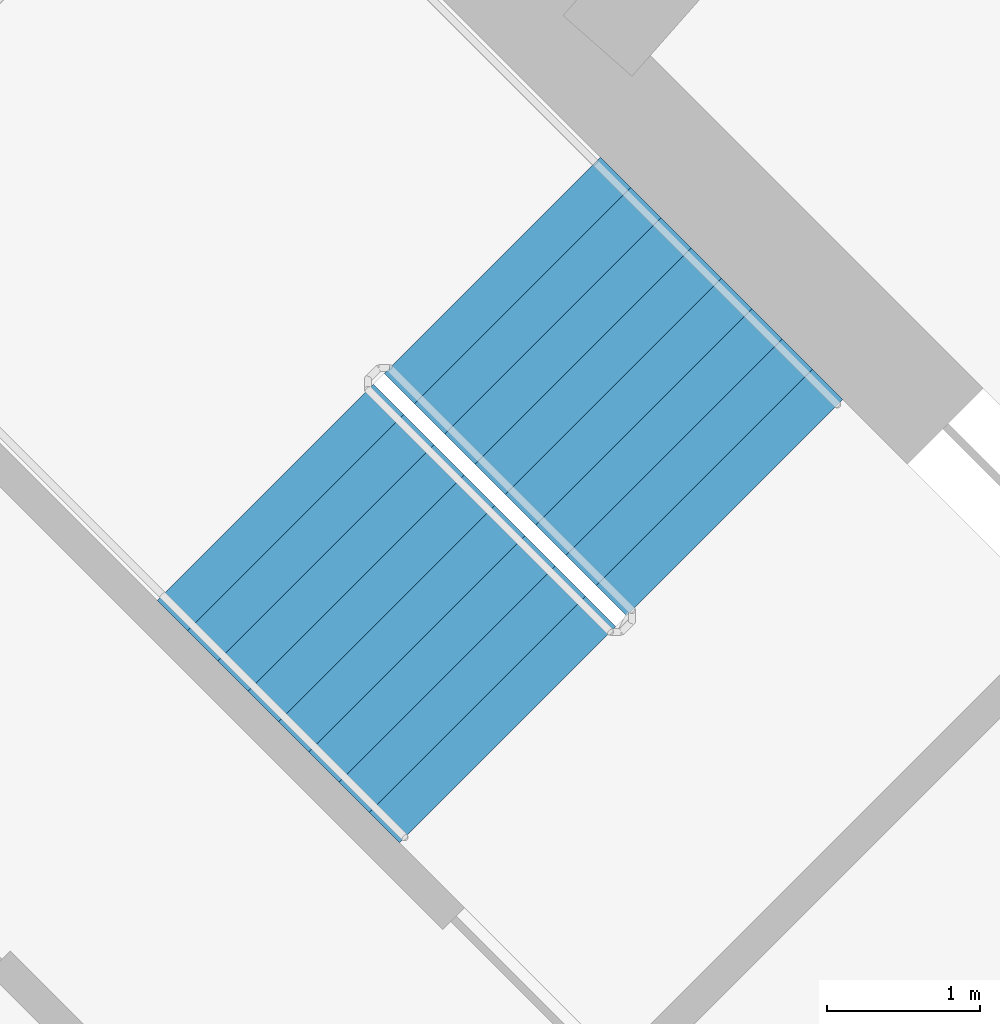
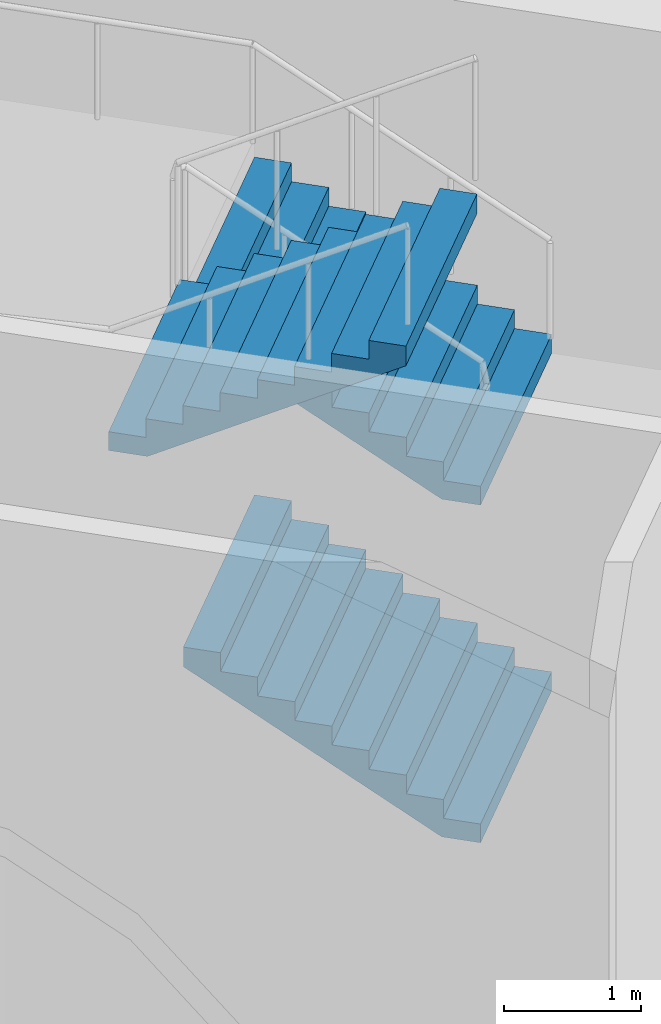
# One storey, part 14 of 16: 3 stair flights, 1 element without a shape of its own.
"""IFC4 building model written with IfcOpenShell, lengths in metres."""

from ifc_helpers import new_model, si_unit, direction, frame, origin, place, context, subcontext, project, spatial, triangles, material, type_object, element, aggregate, save


model = new_model("IFC4")

# Units and contexts
model_context = context("Model", 3, precision=1e-05, world=origin(), true_north=direction((0.0, 1.0)))
body_context = subcontext(model_context, "Body", "Model", "MODEL_VIEW")
ifc_project = project(units=[si_unit("LENGTHUNIT", "METRE"), si_unit("AREAUNIT", "SQUARE_METRE"), si_unit("VOLUMEUNIT", "CUBIC_METRE"), si_unit("PLANEANGLEUNIT", "RADIAN"), si_unit("MASSUNIT", "GRAM", prefix="KILO")], contexts=[model_context])

# Site, building, storey
site_placement = place(None, origin())
site = spatial("IfcSite", under=ifc_project, at=site_placement, CompositionType="ELEMENT")
building_placement = place(site_placement, origin())
building = spatial("IfcBuilding", under=site, at=building_placement, Name="Verdalira Terraces Hotel", CompositionType="ELEMENT")
storey_placement = place(building_placement, frame((0.0, 0.0, 169.0)))
storey = spatial("IfcBuildingStorey", under=building, at=storey_placement, Name="L41", CompositionType="ELEMENT", Elevation=169.0)

# Stair, stair flights
ifc_material_1 = material(Name="Concrete C40", Category="concrete")
stair_type = type_object("IfcStairType", Name="Core stair 36 risers 2000 mm wide", PredefinedType="HALF_TURN_STAIR", material=ifc_material_1)
stair_placement = place(storey_placement, origin())
stair = element("IfcStair", 1, at=stair_placement, inside=storey, type_object=stair_type, Name="L41 Exit stair ST1", PredefinedType="HALF_TURN_STAIR")
ifc_material_2 = material(Name="Concrete C40", Category="concrete")
stair_flight_type = type_object("IfcStairFlightType", Name="Core stair flight 36 risers 2000 mm wide", PredefinedType="STRAIGHT", material=ifc_material_2)
stair_flight_1_placement = place(storey_placement, frame((10.041016, 7.354004, 0.0), z_axis=(0.0, 0.0, 1.0), x_axis=(-0.707106781, 0.707106781, 0.0)))
stair_flight_1 = element("IfcStairFlight", 2, at=stair_flight_1_placement, type_object=stair_flight_type, Name="ST1 flight 1", NumberOfRisers=9, NumberOfTreads=8, PredefinedType="STRAIGHT", RiserHeight=0.166666667, TreadLength=0.28, context=body_context, shape_type="Tessellation", body=[
    triangles([(0.0, 1.0, 0.0), (0.292969, 1.0, 0.0), (2.23999, 1.0, 1.158936), (0.0, -1.0, 0.0), (0.292969, -1.0, 0.0), (2.23999, -1.0, 1.158936), (2.23999, 1.0, 1.333252), (1.959961, 1.0, 1.333252), (2.23999, -1.0, 1.333252), (1.959961, -1.0, 1.333252), (1.959961, 1.0, 1.166748), (1.959961, -1.0, 1.166748), (1.679932, 1.0, 1.166748), (1.679932, -1.0, 1.166748), (1.679932, 1.0, 1.0), (1.679932, -1.0, 1.0), (1.399902, 1.0, 1.0), (1.399902, 1.0, 0.833252), (1.399902, -1.0, 1.0), (1.399902, -1.0, 0.833252), (1.120117, 1.0, 0.833252), (1.120117, 1.0, 0.666748), (1.120117, -1.0, 0.833252), (1.120117, -1.0, 0.666748), (0.840088, 1.0, 0.666748), (0.840088, 1.0, 0.5), (0.840088, -1.0, 0.666748), (0.840088, -1.0, 0.5), (0.560059, 1.0, 0.5), (0.560059, 1.0, 0.333252), (0.560059, -1.0, 0.5), (0.560059, -1.0, 0.333252), (0.280029, 1.0, 0.333252), (0.280029, 1.0, 0.166748), (0.280029, -1.0, 0.333252), (0.280029, -1.0, 0.166748), (0.0, 1.0, 0.166748), (0.0, -1.0, 0.166748), (0.0, -0.9375, 0.0), (0.0, -0.9375, 0.166748), (0.0, -0.875, 0.0), (0.0, -0.875, 0.166748), (0.0, -0.8125, 0.0), (0.0, -0.8125, 0.166748), (0.0, -0.75, 0.0), (0.0, -0.75, 0.166748), (0.0, -0.6875, 0.0), (0.0, -0.6875, 0.166748), (0.0, -0.625, 0.0), (0.0, -0.625, 0.166748), (0.0, -0.5625, 0.0), (0.0, -0.5625, 0.166748), (0.0, -0.5, 0.0), (0.0, -0.5, 0.166748), (0.0, -0.4375, 0.0), (0.0, -0.4375, 0.166748), (0.0, -0.375, 0.0), (0.0, -0.375, 0.166748), (0.0, -0.3125, 0.0), (0.0, -0.3125, 0.166748), (0.0, -0.25, 0.0), (0.0, -0.25, 0.166748), (0.0, -0.1875, 0.0), (0.0, -0.1875, 0.166748), (0.0, -0.125, 0.0), (0.0, -0.125, 0.166748), (0.0, -0.0625, 0.0), (0.0, -0.0625, 0.166748), (0.0, 0.0, 0.0), (0.0, 0.0, 0.166748), (0.0, 0.0625, 0.0), (0.0, 0.0625, 0.166748), (0.0, 0.125, 0.0), (0.0, 0.125, 0.166748), (0.0, 0.1875, 0.0), (0.0, 0.1875, 0.166748), (0.0, 0.25, 0.0), (0.0, 0.25, 0.166748), (0.0, 0.3125, 0.0), (0.0, 0.3125, 0.166748), (0.0, 0.375, 0.0), (0.0, 0.375, 0.166748), (0.0, 0.4375, 0.0), (0.0, 0.4375, 0.166748), (0.0, 0.5, 0.0), (0.0, 0.5, 0.166748), (0.0, 0.5625, 0.0), (0.0, 0.5625, 0.166748), (0.0, 0.625, 0.0), (0.0, 0.625, 0.166748), (0.0, 0.6875, 0.0), (0.0, 0.6875, 0.166748), (0.0, 0.75, 0.0), (0.0, 0.75, 0.166748), (0.0, 0.8125, 0.0), (0.0, 0.8125, 0.166748), (0.0, 0.875, 0.0), (0.0, 0.875, 0.166748), (0.0, 0.9375, 0.0), (0.0, 0.9375, 0.166748), (2.23999, -0.9375, 1.333252), (2.23999, -0.875, 1.333252), (2.23999, -0.8125, 1.333252), (2.23999, -0.75, 1.333252), (2.23999, -0.6875, 1.333252), (2.23999, -0.625, 1.333252), (2.23999, -0.5625, 1.333252), (2.23999, -0.5, 1.333252), (2.23999, -0.4375, 1.333252), (2.23999, -0.375, 1.333252), (2.23999, -0.3125, 1.333252), (2.23999, -0.25, 1.333252), (2.23999, -0.1875, 1.333252), (2.23999, -0.125, 1.333252), (2.23999, -0.0625, 1.333252), (2.23999, 0.0, 1.333252), (2.23999, 0.0625, 1.333252), (2.23999, 0.125, 1.333252), (2.23999, 0.1875, 1.333252), (2.23999, 0.25, 1.333252), (2.23999, 0.3125, 1.333252), (2.23999, 0.375, 1.333252), (2.23999, 0.4375, 1.333252), (2.23999, 0.5, 1.333252), (2.23999, 0.5625, 1.333252), (2.23999, 0.625, 1.333252), (2.23999, 0.6875, 1.333252), (2.23999, 0.75, 1.333252), (2.23999, 0.8125, 1.333252), (2.23999, 0.875, 1.333252), (2.23999, 0.9375, 1.333252), (2.23999, -0.9375, 1.158936), (2.23999, -0.875, 1.158936), (2.23999, -0.8125, 1.158936), (2.23999, -0.75, 1.158936), (2.23999, -0.6875, 1.158936), (2.23999, -0.625, 1.158936), (2.23999, -0.5625, 1.158936), (2.23999, -0.5, 1.158936), (2.23999, -0.4375, 1.158936), (2.23999, -0.375, 1.158936), (2.23999, -0.3125, 1.158936), (2.23999, -0.25, 1.158936), (2.23999, -0.1875, 1.158936), (2.23999, -0.125, 1.158936), (2.23999, -0.0625, 1.158936), (2.23999, 0.0, 1.158936), (2.23999, 0.0625, 1.158936), (2.23999, 0.125, 1.158936), (2.23999, 0.1875, 1.158936), (2.23999, 0.25, 1.158936), (2.23999, 0.3125, 1.158936), (2.23999, 0.375, 1.158936), (2.23999, 0.4375, 1.158936), (2.23999, 0.5, 1.158936), (2.23999, 0.5625, 1.158936), (2.23999, 0.625, 1.158936), (2.23999, 0.6875, 1.158936), (2.23999, 0.75, 1.158936), (2.23999, 0.8125, 1.158936), (2.23999, 0.875, 1.158936), (2.23999, 0.9375, 1.158936)], [[1, 3, 2], [4, 5, 6], [3, 8, 7], [6, 9, 10], [3, 11, 8], [6, 10, 12], [3, 13, 11], [6, 12, 14], [3, 15, 13], [6, 14, 16], [15, 18, 17], [16, 19, 20], [3, 18, 15], [6, 16, 20], [18, 22, 21], [20, 23, 24], [3, 22, 18], [6, 20, 24], [22, 26, 25], [24, 27, 28], [3, 26, 22], [6, 24, 28], [26, 30, 29], [28, 31, 32], [3, 30, 26], [6, 28, 32], [1, 30, 3], [4, 6, 32], [30, 34, 33], [32, 35, 36], [1, 34, 30], [4, 32, 36], [34, 1, 37], [36, 38, 4], [4, 40, 39], [4, 38, 40], [39, 42, 41], [39, 40, 42], [41, 44, 43], [41, 42, 44], [43, 46, 45], [43, 44, 46], [45, 48, 47], [45, 46, 48], [47, 50, 49], [47, 48, 50], [49, 52, 51], [49, 50, 52], [51, 54, 53], [51, 52, 54], [53, 56, 55], [53, 54, 56], [55, 58, 57], [55, 56, 58], [57, 60, 59], [57, 58, 60], [59, 62, 61], [59, 60, 62], [61, 64, 63], [61, 62, 64], [63, 66, 65], [63, 64, 66], [65, 68, 67], [65, 66, 68], [67, 70, 69], [67, 68, 70], [69, 72, 71], [69, 70, 72], [71, 74, 73], [71, 72, 74], [73, 76, 75], [73, 74, 76], [75, 78, 77], [75, 76, 78], [77, 80, 79], [77, 78, 80], [79, 82, 81], [79, 80, 82], [81, 84, 83], [81, 82, 84], [83, 86, 85], [83, 84, 86], [85, 88, 87], [85, 86, 88], [87, 90, 89], [87, 88, 90], [89, 92, 91], [89, 90, 92], [91, 94, 93], [91, 92, 94], [93, 96, 95], [93, 94, 96], [95, 98, 97], [95, 96, 98], [97, 100, 99], [97, 98, 100], [99, 37, 1], [99, 100, 37], [38, 36, 40], [40, 36, 42], [42, 36, 44], [44, 36, 46], [46, 36, 48], [48, 36, 50], [50, 36, 52], [52, 36, 54], [54, 36, 56], [56, 36, 58], [58, 36, 60], [60, 36, 62], [62, 36, 64], [64, 36, 66], [66, 36, 68], [68, 36, 70], [70, 36, 72], [72, 36, 74], [74, 36, 76], [76, 36, 78], [78, 36, 80], [80, 36, 82], [82, 36, 84], [84, 36, 86], [86, 36, 88], [88, 36, 90], [90, 36, 92], [92, 36, 94], [94, 36, 96], [96, 36, 98], [98, 36, 100], [100, 36, 37], [37, 36, 34], [36, 33, 34], [36, 35, 33], [35, 30, 33], [35, 32, 30], [32, 29, 30], [32, 31, 29], [31, 26, 29], [31, 28, 26], [28, 25, 26], [28, 27, 25], [27, 22, 25], [27, 24, 22], [24, 21, 22], [24, 23, 21], [23, 18, 21], [23, 20, 18], [20, 17, 18], [20, 19, 17], [19, 15, 17], [19, 16, 15], [16, 13, 15], [16, 14, 13], [14, 11, 13], [14, 12, 11], [12, 8, 11], [12, 10, 8], [9, 101, 10], [101, 102, 10], [102, 103, 10], [103, 104, 10], [104, 105, 10], [105, 106, 10], [106, 107, 10], [107, 108, 10], [108, 109, 10], [109, 110, 10], [110, 111, 10], [111, 112, 10], [112, 113, 10], [113, 114, 10], [114, 115, 10], [115, 116, 10], [116, 117, 10], [117, 118, 10], [118, 119, 10], [119, 120, 10], [120, 121, 10], [121, 122, 10], [122, 123, 10], [123, 124, 10], [124, 125, 10], [125, 126, 10], [126, 127, 10], [127, 128, 10], [128, 129, 10], [129, 130, 10], [130, 131, 10], [131, 7, 10], [7, 8, 10], [9, 132, 101], [9, 6, 132], [101, 133, 102], [101, 132, 133], [102, 134, 103], [102, 133, 134], [103, 135, 104], [103, 134, 135], [104, 136, 105], [104, 135, 136], [105, 137, 106], [105, 136, 137], [106, 138, 107], [106, 137, 138], [107, 139, 108], [107, 138, 139], [108, 140, 109], [108, 139, 140], [109, 141, 110], [109, 140, 141], [110, 142, 111], [110, 141, 142], [111, 143, 112], [111, 142, 143], [112, 144, 113], [112, 143, 144], [113, 145, 114], [113, 144, 145], [114, 146, 115], [114, 145, 146], [115, 147, 116], [115, 146, 147], [116, 148, 117], [116, 147, 148], [117, 149, 118], [117, 148, 149], [118, 150, 119], [118, 149, 150], [119, 151, 120], [119, 150, 151], [120, 152, 121], [120, 151, 152], [121, 153, 122], [121, 152, 153], [122, 154, 123], [122, 153, 154], [123, 155, 124], [123, 154, 155], [124, 156, 125], [124, 155, 156], [125, 157, 126], [125, 156, 157], [126, 158, 127], [126, 157, 158], [127, 159, 128], [127, 158, 159], [128, 160, 129], [128, 159, 160], [129, 161, 130], [129, 160, 161], [130, 162, 131], [130, 161, 162], [131, 3, 7], [131, 162, 3], [6, 5, 132], [132, 5, 133], [133, 5, 134], [134, 5, 135], [135, 5, 136], [136, 5, 137], [137, 5, 138], [138, 5, 139], [139, 5, 140], [140, 5, 141], [141, 5, 142], [142, 5, 143], [143, 5, 144], [144, 5, 145], [145, 5, 146], [146, 5, 147], [147, 5, 148], [148, 5, 149], [149, 5, 150], [150, 5, 151], [151, 5, 152], [152, 5, 153], [153, 5, 154], [154, 5, 155], [155, 5, 156], [156, 5, 157], [157, 5, 158], [158, 5, 159], [159, 5, 160], [160, 5, 161], [161, 5, 162], [162, 5, 3], [3, 5, 2], [4, 39, 5], [39, 41, 5], [41, 43, 5], [43, 45, 5], [45, 47, 5], [47, 49, 5], [49, 51, 5], [51, 53, 5], [53, 55, 5], [55, 57, 5], [57, 59, 5], [59, 61, 5], [61, 63, 5], [63, 65, 5], [65, 67, 5], [67, 69, 5], [69, 71, 5], [71, 73, 5], [73, 75, 5], [75, 77, 5], [77, 79, 5], [79, 81, 5], [81, 83, 5], [83, 85, 5], [85, 87, 5], [87, 89, 5], [89, 91, 5], [91, 93, 5], [93, 95, 5], [95, 97, 5], [97, 99, 5], [99, 1, 5], [1, 2, 5]], closed=True),
])
stair_flight_2_placement = place(storey_placement, frame((10.041016, 7.354004, 3.0), z_axis=(0.0, 0.0, 1.0), x_axis=(-0.707106781, 0.707106781, 0.0)))
stair_flight_2 = element("IfcStairFlight", 3, at=stair_flight_2_placement, type_object=stair_flight_type, Name="ST1 flight 3", NumberOfRisers=9, NumberOfTreads=8, PredefinedType="STRAIGHT", RiserHeight=0.166666667, TreadLength=0.28, context=body_context, shape_type="Tessellation", body=[
    triangles([(0.0, 1.0, 0.0), (0.292969, 1.0, 0.0), (2.23999, 1.0, 1.158936), (0.0, -1.0, 0.0), (0.292969, -1.0, 0.0), (2.23999, -1.0, 1.158936), (2.23999, 1.0, 1.333252), (1.959961, 1.0, 1.333252), (2.23999, -1.0, 1.333252), (1.959961, -1.0, 1.333252), (1.959961, 1.0, 1.166748), (1.959961, -1.0, 1.166748), (1.679932, 1.0, 1.166748), (1.679932, -1.0, 1.166748), (1.679932, 1.0, 1.0), (1.679932, -1.0, 1.0), (1.399902, 1.0, 1.0), (1.399902, 1.0, 0.833252), (1.399902, -1.0, 1.0), (1.399902, -1.0, 0.833252), (1.120117, 1.0, 0.833252), (1.120117, 1.0, 0.666748), (1.120117, -1.0, 0.833252), (1.120117, -1.0, 0.666748), (0.840088, 1.0, 0.666748), (0.840088, 1.0, 0.5), (0.840088, -1.0, 0.666748), (0.840088, -1.0, 0.5), (0.560059, 1.0, 0.5), (0.560059, 1.0, 0.333252), (0.560059, -1.0, 0.5), (0.560059, -1.0, 0.333252), (0.280029, 1.0, 0.333252), (0.280029, 1.0, 0.166748), (0.280029, -1.0, 0.333252), (0.280029, -1.0, 0.166748), (0.0, 1.0, 0.166748), (0.0, -1.0, 0.166748), (0.0, -0.9375, 0.0), (0.0, -0.9375, 0.166748), (0.0, -0.875, 0.0), (0.0, -0.875, 0.166748), (0.0, -0.8125, 0.0), (0.0, -0.8125, 0.166748), (0.0, -0.75, 0.0), (0.0, -0.75, 0.166748), (0.0, -0.6875, 0.0), (0.0, -0.6875, 0.166748), (0.0, -0.625, 0.0), (0.0, -0.625, 0.166748), (0.0, -0.5625, 0.0), (0.0, -0.5625, 0.166748), (0.0, -0.5, 0.0), (0.0, -0.5, 0.166748), (0.0, -0.4375, 0.0), (0.0, -0.4375, 0.166748), (0.0, -0.375, 0.0), (0.0, -0.375, 0.166748), (0.0, -0.3125, 0.0), (0.0, -0.3125, 0.166748), (0.0, -0.25, 0.0), (0.0, -0.25, 0.166748), (0.0, -0.1875, 0.0), (0.0, -0.1875, 0.166748), (0.0, -0.125, 0.0), (0.0, -0.125, 0.166748), (0.0, -0.0625, 0.0), (0.0, -0.0625, 0.166748), (0.0, 0.0, 0.0), (0.0, 0.0, 0.166748), (0.0, 0.0625, 0.0), (0.0, 0.0625, 0.166748), (0.0, 0.125, 0.0), (0.0, 0.125, 0.166748), (0.0, 0.1875, 0.0), (0.0, 0.1875, 0.166748), (0.0, 0.25, 0.0), (0.0, 0.25, 0.166748), (0.0, 0.3125, 0.0), (0.0, 0.3125, 0.166748), (0.0, 0.375, 0.0), (0.0, 0.375, 0.166748), (0.0, 0.4375, 0.0), (0.0, 0.4375, 0.166748), (0.0, 0.5, 0.0), (0.0, 0.5, 0.166748), (0.0, 0.5625, 0.0), (0.0, 0.5625, 0.166748), (0.0, 0.625, 0.0), (0.0, 0.625, 0.166748), (0.0, 0.6875, 0.0), (0.0, 0.6875, 0.166748), (0.0, 0.75, 0.0), (0.0, 0.75, 0.166748), (0.0, 0.8125, 0.0), (0.0, 0.8125, 0.166748), (0.0, 0.875, 0.0), (0.0, 0.875, 0.166748), (0.0, 0.9375, 0.0), (0.0, 0.9375, 0.166748), (2.23999, -0.9375, 1.333252), (2.23999, -0.875, 1.333252), (2.23999, -0.8125, 1.333252), (2.23999, -0.75, 1.333252), (2.23999, -0.6875, 1.333252), (2.23999, -0.625, 1.333252), (2.23999, -0.5625, 1.333252), (2.23999, -0.5, 1.333252), (2.23999, -0.4375, 1.333252), (2.23999, -0.375, 1.333252), (2.23999, -0.3125, 1.333252), (2.23999, -0.25, 1.333252), (2.23999, -0.1875, 1.333252), (2.23999, -0.125, 1.333252), (2.23999, -0.0625, 1.333252), (2.23999, 0.0, 1.333252), (2.23999, 0.0625, 1.333252), (2.23999, 0.125, 1.333252), (2.23999, 0.1875, 1.333252), (2.23999, 0.25, 1.333252), (2.23999, 0.3125, 1.333252), (2.23999, 0.375, 1.333252), (2.23999, 0.4375, 1.333252), (2.23999, 0.5, 1.333252), (2.23999, 0.5625, 1.333252), (2.23999, 0.625, 1.333252), (2.23999, 0.6875, 1.333252), (2.23999, 0.75, 1.333252), (2.23999, 0.8125, 1.333252), (2.23999, 0.875, 1.333252), (2.23999, 0.9375, 1.333252), (2.23999, -0.9375, 1.158936), (2.23999, -0.875, 1.158936), (2.23999, -0.8125, 1.158936), (2.23999, -0.75, 1.158936), (2.23999, -0.6875, 1.158936), (2.23999, -0.625, 1.158936), (2.23999, -0.5625, 1.158936), (2.23999, -0.5, 1.158936), (2.23999, -0.4375, 1.158936), (2.23999, -0.375, 1.158936), (2.23999, -0.3125, 1.158936), (2.23999, -0.25, 1.158936), (2.23999, -0.1875, 1.158936), (2.23999, -0.125, 1.158936), (2.23999, -0.0625, 1.158936), (2.23999, 0.0, 1.158936), (2.23999, 0.0625, 1.158936), (2.23999, 0.125, 1.158936), (2.23999, 0.1875, 1.158936), (2.23999, 0.25, 1.158936), (2.23999, 0.3125, 1.158936), (2.23999, 0.375, 1.158936), (2.23999, 0.4375, 1.158936), (2.23999, 0.5, 1.158936), (2.23999, 0.5625, 1.158936), (2.23999, 0.625, 1.158936), (2.23999, 0.6875, 1.158936), (2.23999, 0.75, 1.158936), (2.23999, 0.8125, 1.158936), (2.23999, 0.875, 1.158936), (2.23999, 0.9375, 1.158936)], [[1, 3, 2], [4, 5, 6], [3, 8, 7], [6, 9, 10], [3, 11, 8], [6, 10, 12], [3, 13, 11], [6, 12, 14], [3, 15, 13], [6, 14, 16], [15, 18, 17], [16, 19, 20], [3, 18, 15], [6, 16, 20], [18, 22, 21], [20, 23, 24], [3, 22, 18], [6, 20, 24], [22, 26, 25], [24, 27, 28], [3, 26, 22], [6, 24, 28], [26, 30, 29], [28, 31, 32], [3, 30, 26], [6, 28, 32], [1, 30, 3], [4, 6, 32], [30, 34, 33], [32, 35, 36], [1, 34, 30], [4, 32, 36], [34, 1, 37], [36, 38, 4], [4, 40, 39], [4, 38, 40], [39, 42, 41], [39, 40, 42], [41, 44, 43], [41, 42, 44], [43, 46, 45], [43, 44, 46], [45, 48, 47], [45, 46, 48], [47, 50, 49], [47, 48, 50], [49, 52, 51], [49, 50, 52], [51, 54, 53], [51, 52, 54], [53, 56, 55], [53, 54, 56], [55, 58, 57], [55, 56, 58], [57, 60, 59], [57, 58, 60], [59, 62, 61], [59, 60, 62], [61, 64, 63], [61, 62, 64], [63, 66, 65], [63, 64, 66], [65, 68, 67], [65, 66, 68], [67, 70, 69], [67, 68, 70], [69, 72, 71], [69, 70, 72], [71, 74, 73], [71, 72, 74], [73, 76, 75], [73, 74, 76], [75, 78, 77], [75, 76, 78], [77, 80, 79], [77, 78, 80], [79, 82, 81], [79, 80, 82], [81, 84, 83], [81, 82, 84], [83, 86, 85], [83, 84, 86], [85, 88, 87], [85, 86, 88], [87, 90, 89], [87, 88, 90], [89, 92, 91], [89, 90, 92], [91, 94, 93], [91, 92, 94], [93, 96, 95], [93, 94, 96], [95, 98, 97], [95, 96, 98], [97, 100, 99], [97, 98, 100], [99, 37, 1], [99, 100, 37], [38, 36, 40], [40, 36, 42], [42, 36, 44], [44, 36, 46], [46, 36, 48], [48, 36, 50], [50, 36, 52], [52, 36, 54], [54, 36, 56], [56, 36, 58], [58, 36, 60], [60, 36, 62], [62, 36, 64], [64, 36, 66], [66, 36, 68], [68, 36, 70], [70, 36, 72], [72, 36, 74], [74, 36, 76], [76, 36, 78], [78, 36, 80], [80, 36, 82], [82, 36, 84], [84, 36, 86], [86, 36, 88], [88, 36, 90], [90, 36, 92], [92, 36, 94], [94, 36, 96], [96, 36, 98], [98, 36, 100], [100, 36, 37], [37, 36, 34], [36, 33, 34], [36, 35, 33], [35, 30, 33], [35, 32, 30], [32, 29, 30], [32, 31, 29], [31, 26, 29], [31, 28, 26], [28, 25, 26], [28, 27, 25], [27, 22, 25], [27, 24, 22], [24, 21, 22], [24, 23, 21], [23, 18, 21], [23, 20, 18], [20, 17, 18], [20, 19, 17], [19, 15, 17], [19, 16, 15], [16, 13, 15], [16, 14, 13], [14, 11, 13], [14, 12, 11], [12, 8, 11], [12, 10, 8], [9, 101, 10], [101, 102, 10], [102, 103, 10], [103, 104, 10], [104, 105, 10], [105, 106, 10], [106, 107, 10], [107, 108, 10], [108, 109, 10], [109, 110, 10], [110, 111, 10], [111, 112, 10], [112, 113, 10], [113, 114, 10], [114, 115, 10], [115, 116, 10], [116, 117, 10], [117, 118, 10], [118, 119, 10], [119, 120, 10], [120, 121, 10], [121, 122, 10], [122, 123, 10], [123, 124, 10], [124, 125, 10], [125, 126, 10], [126, 127, 10], [127, 128, 10], [128, 129, 10], [129, 130, 10], [130, 131, 10], [131, 7, 10], [7, 8, 10], [9, 132, 101], [9, 6, 132], [101, 133, 102], [101, 132, 133], [102, 134, 103], [102, 133, 134], [103, 135, 104], [103, 134, 135], [104, 136, 105], [104, 135, 136], [105, 137, 106], [105, 136, 137], [106, 138, 107], [106, 137, 138], [107, 139, 108], [107, 138, 139], [108, 140, 109], [108, 139, 140], [109, 141, 110], [109, 140, 141], [110, 142, 111], [110, 141, 142], [111, 143, 112], [111, 142, 143], [112, 144, 113], [112, 143, 144], [113, 145, 114], [113, 144, 145], [114, 146, 115], [114, 145, 146], [115, 147, 116], [115, 146, 147], [116, 148, 117], [116, 147, 148], [117, 149, 118], [117, 148, 149], [118, 150, 119], [118, 149, 150], [119, 151, 120], [119, 150, 151], [120, 152, 121], [120, 151, 152], [121, 153, 122], [121, 152, 153], [122, 154, 123], [122, 153, 154], [123, 155, 124], [123, 154, 155], [124, 156, 125], [124, 155, 156], [125, 157, 126], [125, 156, 157], [126, 158, 127], [126, 157, 158], [127, 159, 128], [127, 158, 159], [128, 160, 129], [128, 159, 160], [129, 161, 130], [129, 160, 161], [130, 162, 131], [130, 161, 162], [131, 3, 7], [131, 162, 3], [6, 5, 132], [132, 5, 133], [133, 5, 134], [134, 5, 135], [135, 5, 136], [136, 5, 137], [137, 5, 138], [138, 5, 139], [139, 5, 140], [140, 5, 141], [141, 5, 142], [142, 5, 143], [143, 5, 144], [144, 5, 145], [145, 5, 146], [146, 5, 147], [147, 5, 148], [148, 5, 149], [149, 5, 150], [150, 5, 151], [151, 5, 152], [152, 5, 153], [153, 5, 154], [154, 5, 155], [155, 5, 156], [156, 5, 157], [157, 5, 158], [158, 5, 159], [159, 5, 160], [160, 5, 161], [161, 5, 162], [162, 5, 3], [3, 5, 2], [4, 39, 5], [39, 41, 5], [41, 43, 5], [43, 45, 5], [45, 47, 5], [47, 49, 5], [49, 51, 5], [51, 53, 5], [53, 55, 5], [55, 57, 5], [57, 59, 5], [59, 61, 5], [61, 63, 5], [63, 65, 5], [65, 67, 5], [67, 69, 5], [69, 71, 5], [71, 73, 5], [73, 75, 5], [75, 77, 5], [77, 79, 5], [79, 81, 5], [81, 83, 5], [83, 85, 5], [85, 87, 5], [87, 89, 5], [89, 91, 5], [91, 93, 5], [93, 95, 5], [95, 97, 5], [97, 99, 5], [99, 1, 5], [1, 2, 5]], closed=True),
])
stair_flight_3_placement = place(storey_placement, frame((6.972168, 7.452881, 4.5), z_axis=(0.0, 0.0, 1.0), x_axis=(0.707106781, -0.707106781, 0.0)))
stair_flight_3 = element("IfcStairFlight", 4, at=stair_flight_3_placement, type_object=stair_flight_type, Name="ST1 flight 4", NumberOfRisers=9, NumberOfTreads=8, PredefinedType="STRAIGHT", RiserHeight=0.166666667, TreadLength=0.28, context=body_context, shape_type="Tessellation", body=[
    triangles([(0.0, 1.0, 0.0), (0.292969, 1.0, 0.0), (2.23999, 1.0, 1.158936), (0.0, -1.0, 0.0), (0.292969, -1.0, 0.0), (2.23999, -1.0, 1.158936), (2.23999, 1.0, 1.333252), (1.959961, 1.0, 1.333252), (2.23999, -1.0, 1.333252), (1.959961, -1.0, 1.333252), (1.959961, 1.0, 1.166748), (1.959961, -1.0, 1.166748), (1.679932, 1.0, 1.166748), (1.679932, -1.0, 1.166748), (1.679932, 1.0, 1.0), (1.679932, -1.0, 1.0), (1.399902, 1.0, 1.0), (1.399902, 1.0, 0.833252), (1.399902, -1.0, 1.0), (1.399902, -1.0, 0.833252), (1.120117, 1.0, 0.833252), (1.120117, 1.0, 0.666748), (1.120117, -1.0, 0.833252), (1.120117, -1.0, 0.666748), (0.840088, 1.0, 0.666748), (0.840088, 1.0, 0.5), (0.840088, -1.0, 0.666748), (0.840088, -1.0, 0.5), (0.560059, 1.0, 0.5), (0.560059, 1.0, 0.333252), (0.560059, -1.0, 0.5), (0.560059, -1.0, 0.333252), (0.280029, 1.0, 0.333252), (0.280029, 1.0, 0.166748), (0.280029, -1.0, 0.333252), (0.280029, -1.0, 0.166748), (0.0, 1.0, 0.166748), (0.0, -1.0, 0.166748), (0.0, -0.9375, 0.0), (0.0, -0.9375, 0.166748), (0.0, -0.875, 0.0), (0.0, -0.875, 0.166748), (0.0, -0.8125, 0.0), (0.0, -0.8125, 0.166748), (0.0, -0.75, 0.0), (0.0, -0.75, 0.166748), (0.0, -0.6875, 0.0), (0.0, -0.6875, 0.166748), (0.0, -0.625, 0.0), (0.0, -0.625, 0.166748), (0.0, -0.5625, 0.0), (0.0, -0.5625, 0.166748), (0.0, -0.5, 0.0), (0.0, -0.5, 0.166748), (0.0, -0.4375, 0.0), (0.0, -0.4375, 0.166748), (0.0, -0.375, 0.0), (0.0, -0.375, 0.166748), (0.0, -0.3125, 0.0), (0.0, -0.3125, 0.166748), (0.0, -0.25, 0.0), (0.0, -0.25, 0.166748), (0.0, -0.1875, 0.0), (0.0, -0.1875, 0.166748), (0.0, -0.125, 0.0), (0.0, -0.125, 0.166748), (0.0, -0.0625, 0.0), (0.0, -0.0625, 0.166748), (0.0, 0.0, 0.0), (0.0, 0.0, 0.166748), (0.0, 0.0625, 0.0), (0.0, 0.0625, 0.166748), (0.0, 0.125, 0.0), (0.0, 0.125, 0.166748), (0.0, 0.1875, 0.0), (0.0, 0.1875, 0.166748), (0.0, 0.25, 0.0), (0.0, 0.25, 0.166748), (0.0, 0.3125, 0.0), (0.0, 0.3125, 0.166748), (0.0, 0.375, 0.0), (0.0, 0.375, 0.166748), (0.0, 0.4375, 0.0), (0.0, 0.4375, 0.166748), (0.0, 0.5, 0.0), (0.0, 0.5, 0.166748), (0.0, 0.5625, 0.0), (0.0, 0.5625, 0.166748), (0.0, 0.625, 0.0), (0.0, 0.625, 0.166748), (0.0, 0.6875, 0.0), (0.0, 0.6875, 0.166748), (0.0, 0.75, 0.0), (0.0, 0.75, 0.166748), (0.0, 0.8125, 0.0), (0.0, 0.8125, 0.166748), (0.0, 0.875, 0.0), (0.0, 0.875, 0.166748), (0.0, 0.9375, 0.0), (0.0, 0.9375, 0.166748), (2.23999, -0.9375, 1.333252), (2.23999, -0.875, 1.333252), (2.23999, -0.8125, 1.333252), (2.23999, -0.75, 1.333252), (2.23999, -0.6875, 1.333252), (2.23999, -0.625, 1.333252), (2.23999, -0.5625, 1.333252), (2.23999, -0.5, 1.333252), (2.23999, -0.4375, 1.333252), (2.23999, -0.375, 1.333252), (2.23999, -0.3125, 1.333252), (2.23999, -0.25, 1.333252), (2.23999, -0.1875, 1.333252), (2.23999, -0.125, 1.333252), (2.23999, -0.0625, 1.333252), (2.23999, 0.0, 1.333252), (2.23999, 0.0625, 1.333252), (2.23999, 0.125, 1.333252), (2.23999, 0.1875, 1.333252), (2.23999, 0.25, 1.333252), (2.23999, 0.3125, 1.333252), (2.23999, 0.375, 1.333252), (2.23999, 0.4375, 1.333252), (2.23999, 0.5, 1.333252), (2.23999, 0.5625, 1.333252), (2.23999, 0.625, 1.333252), (2.23999, 0.6875, 1.333252), (2.23999, 0.75, 1.333252), (2.23999, 0.8125, 1.333252), (2.23999, 0.875, 1.333252), (2.23999, 0.9375, 1.333252), (2.23999, -0.9375, 1.158936), (2.23999, -0.875, 1.158936), (2.23999, -0.8125, 1.158936), (2.23999, -0.75, 1.158936), (2.23999, -0.6875, 1.158936), (2.23999, -0.625, 1.158936), (2.23999, -0.5625, 1.158936), (2.23999, -0.5, 1.158936), (2.23999, -0.4375, 1.158936), (2.23999, -0.375, 1.158936), (2.23999, -0.3125, 1.158936), (2.23999, -0.25, 1.158936), (2.23999, -0.1875, 1.158936), (2.23999, -0.125, 1.158936), (2.23999, -0.0625, 1.158936), (2.23999, 0.0, 1.158936), (2.23999, 0.0625, 1.158936), (2.23999, 0.125, 1.158936), (2.23999, 0.1875, 1.158936), (2.23999, 0.25, 1.158936), (2.23999, 0.3125, 1.158936), (2.23999, 0.375, 1.158936), (2.23999, 0.4375, 1.158936), (2.23999, 0.5, 1.158936), (2.23999, 0.5625, 1.158936), (2.23999, 0.625, 1.158936), (2.23999, 0.6875, 1.158936), (2.23999, 0.75, 1.158936), (2.23999, 0.8125, 1.158936), (2.23999, 0.875, 1.158936), (2.23999, 0.9375, 1.158936)], [[1, 3, 2], [4, 5, 6], [3, 8, 7], [6, 9, 10], [3, 11, 8], [6, 10, 12], [3, 13, 11], [6, 12, 14], [3, 15, 13], [6, 14, 16], [15, 18, 17], [16, 19, 20], [3, 18, 15], [6, 16, 20], [18, 22, 21], [20, 23, 24], [3, 22, 18], [6, 20, 24], [22, 26, 25], [24, 27, 28], [3, 26, 22], [6, 24, 28], [26, 30, 29], [28, 31, 32], [3, 30, 26], [6, 28, 32], [1, 30, 3], [4, 6, 32], [30, 34, 33], [32, 35, 36], [1, 34, 30], [4, 32, 36], [34, 1, 37], [36, 38, 4], [4, 40, 39], [4, 38, 40], [39, 42, 41], [39, 40, 42], [41, 44, 43], [41, 42, 44], [43, 46, 45], [43, 44, 46], [45, 48, 47], [45, 46, 48], [47, 50, 49], [47, 48, 50], [49, 52, 51], [49, 50, 52], [51, 54, 53], [51, 52, 54], [53, 56, 55], [53, 54, 56], [55, 58, 57], [55, 56, 58], [57, 60, 59], [57, 58, 60], [59, 62, 61], [59, 60, 62], [61, 64, 63], [61, 62, 64], [63, 66, 65], [63, 64, 66], [65, 68, 67], [65, 66, 68], [67, 70, 69], [67, 68, 70], [69, 72, 71], [69, 70, 72], [71, 74, 73], [71, 72, 74], [73, 76, 75], [73, 74, 76], [75, 78, 77], [75, 76, 78], [77, 80, 79], [77, 78, 80], [79, 82, 81], [79, 80, 82], [81, 84, 83], [81, 82, 84], [83, 86, 85], [83, 84, 86], [85, 88, 87], [85, 86, 88], [87, 90, 89], [87, 88, 90], [89, 92, 91], [89, 90, 92], [91, 94, 93], [91, 92, 94], [93, 96, 95], [93, 94, 96], [95, 98, 97], [95, 96, 98], [97, 100, 99], [97, 98, 100], [99, 37, 1], [99, 100, 37], [38, 36, 40], [40, 36, 42], [42, 36, 44], [44, 36, 46], [46, 36, 48], [48, 36, 50], [50, 36, 52], [52, 36, 54], [54, 36, 56], [56, 36, 58], [58, 36, 60], [60, 36, 62], [62, 36, 64], [64, 36, 66], [66, 36, 68], [68, 36, 70], [70, 36, 72], [72, 36, 74], [74, 36, 76], [76, 36, 78], [78, 36, 80], [80, 36, 82], [82, 36, 84], [84, 36, 86], [86, 36, 88], [88, 36, 90], [90, 36, 92], [92, 36, 94], [94, 36, 96], [96, 36, 98], [98, 36, 100], [100, 36, 37], [37, 36, 34], [36, 33, 34], [36, 35, 33], [35, 30, 33], [35, 32, 30], [32, 29, 30], [32, 31, 29], [31, 26, 29], [31, 28, 26], [28, 25, 26], [28, 27, 25], [27, 22, 25], [27, 24, 22], [24, 21, 22], [24, 23, 21], [23, 18, 21], [23, 20, 18], [20, 17, 18], [20, 19, 17], [19, 15, 17], [19, 16, 15], [16, 13, 15], [16, 14, 13], [14, 11, 13], [14, 12, 11], [12, 8, 11], [12, 10, 8], [9, 101, 10], [101, 102, 10], [102, 103, 10], [103, 104, 10], [104, 105, 10], [105, 106, 10], [106, 107, 10], [107, 108, 10], [108, 109, 10], [109, 110, 10], [110, 111, 10], [111, 112, 10], [112, 113, 10], [113, 114, 10], [114, 115, 10], [115, 116, 10], [116, 117, 10], [117, 118, 10], [118, 119, 10], [119, 120, 10], [120, 121, 10], [121, 122, 10], [122, 123, 10], [123, 124, 10], [124, 125, 10], [125, 126, 10], [126, 127, 10], [127, 128, 10], [128, 129, 10], [129, 130, 10], [130, 131, 10], [131, 7, 10], [7, 8, 10], [9, 132, 101], [9, 6, 132], [101, 133, 102], [101, 132, 133], [102, 134, 103], [102, 133, 134], [103, 135, 104], [103, 134, 135], [104, 136, 105], [104, 135, 136], [105, 137, 106], [105, 136, 137], [106, 138, 107], [106, 137, 138], [107, 139, 108], [107, 138, 139], [108, 140, 109], [108, 139, 140], [109, 141, 110], [109, 140, 141], [110, 142, 111], [110, 141, 142], [111, 143, 112], [111, 142, 143], [112, 144, 113], [112, 143, 144], [113, 145, 114], [113, 144, 145], [114, 146, 115], [114, 145, 146], [115, 147, 116], [115, 146, 147], [116, 148, 117], [116, 147, 148], [117, 149, 118], [117, 148, 149], [118, 150, 119], [118, 149, 150], [119, 151, 120], [119, 150, 151], [120, 152, 121], [120, 151, 152], [121, 153, 122], [121, 152, 153], [122, 154, 123], [122, 153, 154], [123, 155, 124], [123, 154, 155], [124, 156, 125], [124, 155, 156], [125, 157, 126], [125, 156, 157], [126, 158, 127], [126, 157, 158], [127, 159, 128], [127, 158, 159], [128, 160, 129], [128, 159, 160], [129, 161, 130], [129, 160, 161], [130, 162, 131], [130, 161, 162], [131, 3, 7], [131, 162, 3], [6, 5, 132], [132, 5, 133], [133, 5, 134], [134, 5, 135], [135, 5, 136], [136, 5, 137], [137, 5, 138], [138, 5, 139], [139, 5, 140], [140, 5, 141], [141, 5, 142], [142, 5, 143], [143, 5, 144], [144, 5, 145], [145, 5, 146], [146, 5, 147], [147, 5, 148], [148, 5, 149], [149, 5, 150], [150, 5, 151], [151, 5, 152], [152, 5, 153], [153, 5, 154], [154, 5, 155], [155, 5, 156], [156, 5, 157], [157, 5, 158], [158, 5, 159], [159, 5, 160], [160, 5, 161], [161, 5, 162], [162, 5, 3], [3, 5, 2], [4, 39, 5], [39, 41, 5], [41, 43, 5], [43, 45, 5], [45, 47, 5], [47, 49, 5], [49, 51, 5], [51, 53, 5], [53, 55, 5], [55, 57, 5], [57, 59, 5], [59, 61, 5], [61, 63, 5], [63, 65, 5], [65, 67, 5], [67, 69, 5], [69, 71, 5], [71, 73, 5], [73, 75, 5], [75, 77, 5], [77, 79, 5], [79, 81, 5], [81, 83, 5], [83, 85, 5], [85, 87, 5], [87, 89, 5], [89, 91, 5], [91, 93, 5], [93, 95, 5], [95, 97, 5], [97, 99, 5], [99, 1, 5], [1, 2, 5]], closed=True),
])
aggregate(stair, [stair_flight_1, stair_flight_2, stair_flight_3])

save(model, "model.ifc")
